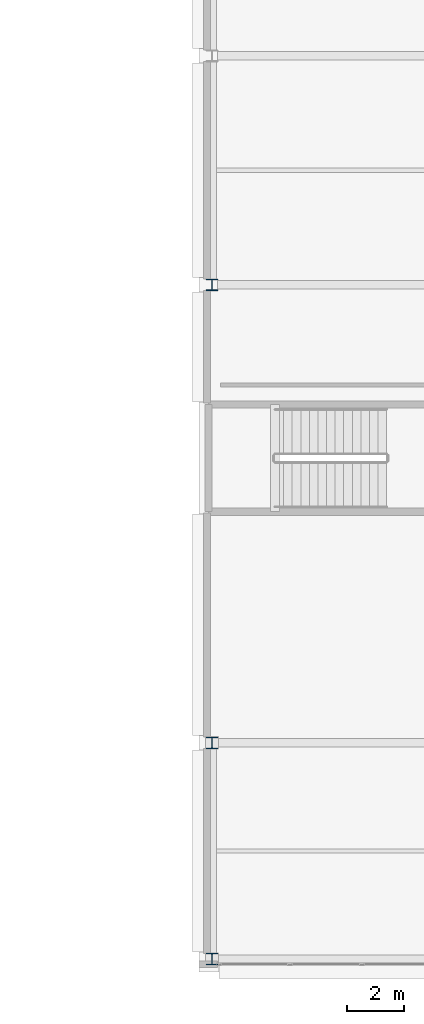
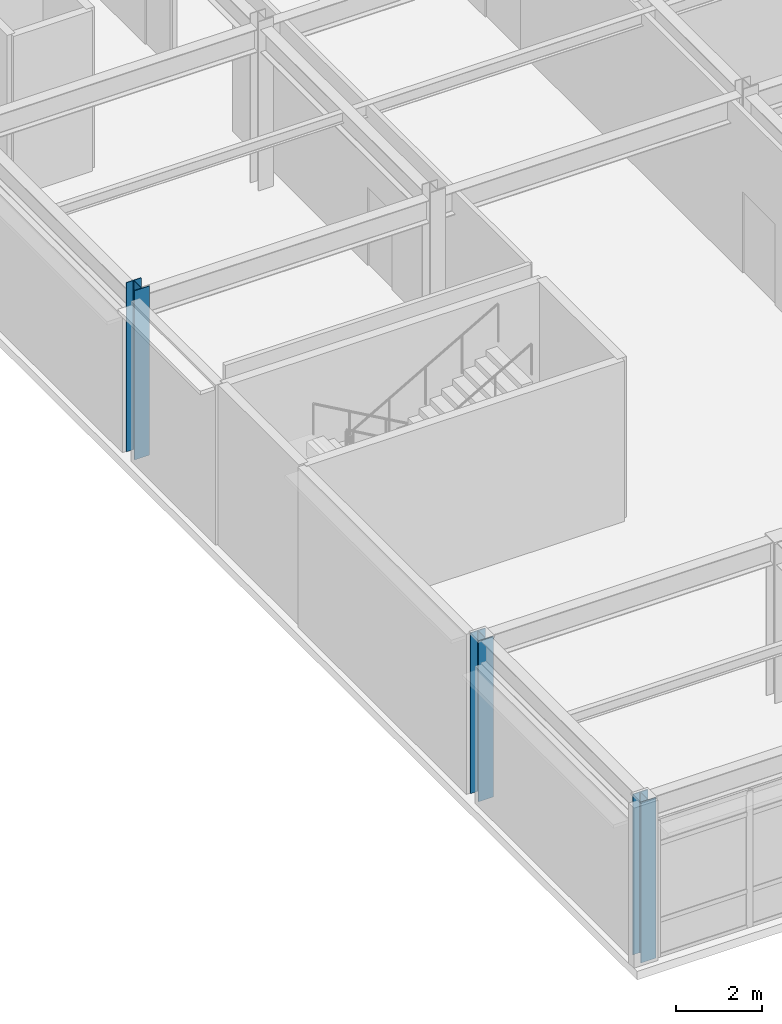
# One storey, part 1 of 93: 3 columns.
"""IFC4 building model written with IfcOpenShell, lengths in metres."""

from ifc_helpers import new_model, si_unit, direction, frame, origin, origin_2d, place, context, subcontext, project, spatial, i_section, extrude, material, material_profile, profile_set, type_object, element, save


model = new_model("IFC4")

# Units and contexts
model_context = context("Model", 3, precision=1e-05, world=origin(), true_north=direction((0.0, 1.0)))
body_context = subcontext(model_context, "Body", "Model", "MODEL_VIEW")
ifc_project = project(units=[si_unit("LENGTHUNIT", "METRE"), si_unit("AREAUNIT", "SQUARE_METRE"), si_unit("VOLUMEUNIT", "CUBIC_METRE"), si_unit("PLANEANGLEUNIT", "RADIAN"), si_unit("MASSUNIT", "GRAM", prefix="KILO")], contexts=[model_context])

# Site, building, storey
site_placement = place(None, origin())
site = spatial("IfcSite", under=ifc_project, at=site_placement, CompositionType="ELEMENT")
building_placement = place(site_placement, origin())
building = spatial("IfcBuilding", under=site, at=building_placement, Name="Kazehara Bluff Congress Hotel", CompositionType="ELEMENT")
storey_placement = place(building_placement, frame((0.0, 0.0, 15.0)))
storey = spatial("IfcBuildingStorey", under=building, at=storey_placement, Name="L03", CompositionType="ELEMENT", Elevation=15.0)

# Columns
ifc_material = material(Name="Steel SN490B", Category="steel")
ifc_material_profile = material_profile(ifc_material, i_section(OverallWidth=0.39990234375, OverallDepth=0.39990234375, WebThickness=0.012939453125, FlangeThickness=0.02099609375, FilletRadius=0.02197265625, at=origin_2d()))
ifc_profile_set = profile_set([ifc_material_profile], Name="Steel SN490B")
column_type = type_object("IfcColumnType", Name="TP-C-09", PredefinedType="COLUMN", material=ifc_profile_set)
for number, where, z_axis, x_axis, name in (
    (1, (59.699951171875, 0.449951171875, 0.0), (0.0, 0.0, 1.0), (1.0, 0.0, 0.0), "L03 column C-09 (59.70,0.45)"),
    (2, (59.699951171875, 8.0, 0.0), (0.0, 0.0, 1.0), (1.0, 0.0, 0.0), "L03 column C-09 (59.70,8.00)"),
):
    element("IfcColumn", number, at=place(storey_placement, frame(where, z_axis=z_axis, x_axis=x_axis)), inside=storey, type_object=column_type, Name=name, PredefinedType="COLUMN", context=body_context, shape_type="SweptSolid", body=[
        extrude(i_section(OverallWidth=0.39990234375, OverallDepth=0.39990234375, WebThickness=0.012939453125, FlangeThickness=0.02099609375, FilletRadius=0.02197265625, at=origin_2d()), origin(), (0.0, 0.0, 1.0), 4.56005859375),
    ])
column_placement = place(storey_placement, frame((59.699951171875, 24.0, 0.0), z_axis=(0.0, 0.0, 1.0), x_axis=(1.0, 0.0, 0.0)))
element("IfcColumn", 3, at=column_placement, inside=storey, type_object=column_type, Name="L03 column C-09 (59.70,24.00)", PredefinedType="COLUMN", context=body_context, shape_type="SweptSolid", body=[
    extrude(i_section(OverallWidth=0.39990234375, OverallDepth=0.39990234375, WebThickness=0.012939453125, FlangeThickness=0.02099609375, FilletRadius=0.02197265625, at=origin_2d()), origin(), (0.0, 0.0, 1.0), 4.800048828125),
])

save(model, "model.ifc")
